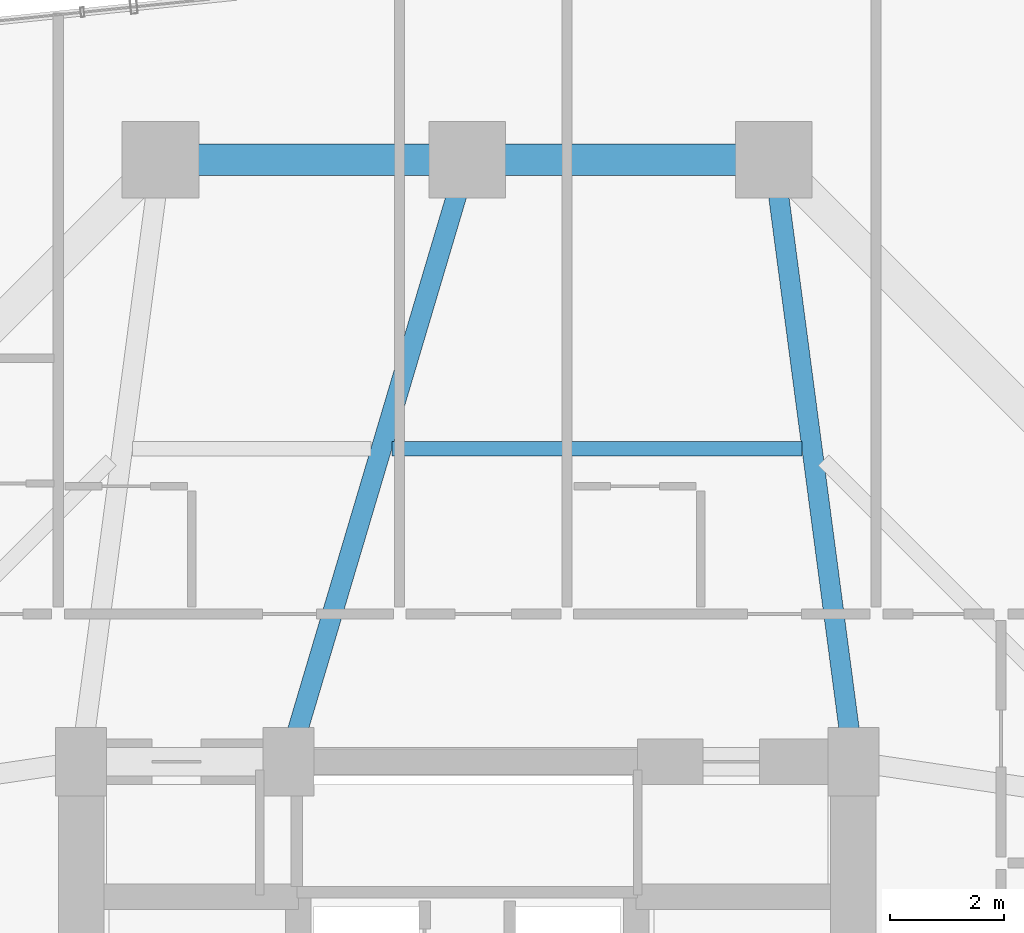
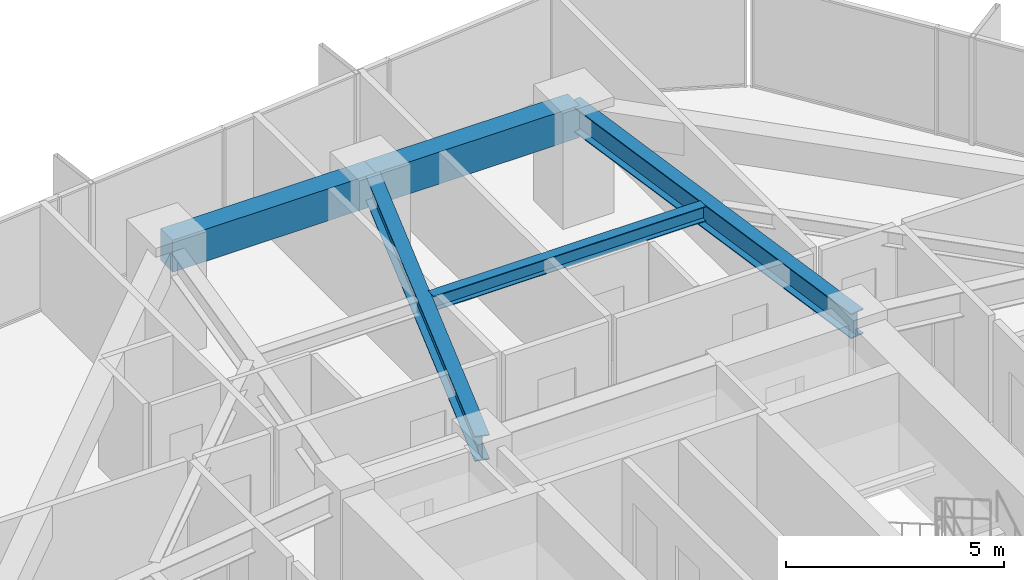
# One storey, part 24 of 37: 5 beams.
"""IFC4 building model written with IfcOpenShell, lengths in metres."""

import ifcopenshell
import ifcopenshell.guid

model = None  # the IFC model being written
_history = None  # IfcOwnerHistory: only IFC2X3 demands one
_inside = {}  # id of a spatial element -> (the spatial element, [elements in it])
_under = {}  # id of a project, library or spatial element -> (it, [spatial elements below it])
_declared = {}  # id of a project -> (the project, [libraries it declares])
_typed = {}  # id of a type object -> (the type object, [elements of that type])
_made_of = {}  # id of a material, layer set ... -> (it, [elements and type objects made of it])


def new_model(schema):
    """Start an empty IFC model of exactly this schema.

    Asked for "IFC4X3", IfcOpenShell would pick the latest addendum, in which some entities
    have other attributes; the version numbers below select the first issue.
    IFC2X3 requires an IfcOwnerHistory on every rooted entity: one is made here for all.
    """
    global model, _history
    if schema == "IFC4X3":
        model = ifcopenshell.file(schema_version=(4, 3, 0, 0))
    else:
        model = ifcopenshell.file(schema=schema)
    _inside.clear()
    _under.clear()
    _declared.clear()
    _typed.clear()
    _made_of.clear()
    _history = None
    if model.schema == "IFC2X3":
        org = make("IfcOrganization", Name="unknown")
        user = make(
            "IfcPersonAndOrganization",
            ThePerson=make("IfcPerson", FamilyName="unknown"),
            TheOrganization=org,
        )
        app = make(
            "IfcApplication",
            ApplicationDeveloper=org,
            Version="unknown",
            ApplicationFullName="unknown",
            ApplicationIdentifier="unknown",
        )
        _history = make(
            "IfcOwnerHistory",
            OwningUser=user,
            OwningApplication=app,
            ChangeAction="ADDED",
            CreationDate=0,
        )
    return model


def make(cls, **values):
    """One entity of the class cls with the attributes given. An attribute that is None is left unset."""
    return model.create_entity(
        cls, **{name: value for name, value in values.items() if value is not None}
    )


def rooted(cls, **values):
    """An entity with a GlobalId (a new one), such as an element, a storey or a relation."""
    return make(cls, GlobalId=ifcopenshell.guid.new(), OwnerHistory=_history, **values)


def si_unit(unit_type, name, prefix=None):
    """IfcSIUnit, for example si_unit("LENGTHUNIT", "METRE", prefix="MILLI")."""
    return make("IfcSIUnit", UnitType=unit_type, Prefix=prefix, Name=name)


def assignment(units):
    """IfcUnitAssignment: the units of a project."""
    return None if units is None else make("IfcUnitAssignment", Units=units)


def point(xyz):
    """IfcCartesianPoint."""
    return None if xyz is None else make("IfcCartesianPoint", Coordinates=xyz)


def direction(xyz):
    """IfcDirection."""
    return None if xyz is None else make("IfcDirection", DirectionRatios=xyz)


def frame(location, z_axis=None, x_axis=None):
    """IfcAxis2Placement3D, a coordinate frame: its origin and axes. An axis left out is left unset."""
    return make(
        "IfcAxis2Placement3D",
        Location=point(location),
        Axis=direction(z_axis),
        RefDirection=direction(x_axis),
    )


def frame_2d(location, x_axis=None):
    """IfcAxis2Placement2D, a coordinate frame in the plane: its origin and x axis."""
    return make(
        "IfcAxis2Placement2D", Location=point(location), RefDirection=direction(x_axis)
    )


def origin():
    """The frame at (0, 0, 0) with its axes left unset."""
    return frame((0.0, 0.0, 0.0))


def origin_2d():
    """The frame at (0, 0) in the plane with its x axis left unset."""
    return frame_2d((0.0, 0.0))


def place(relative_to, where):
    """IfcLocalPlacement: puts the frame where relative to a parent placement (None: the world)."""
    return make(
        "IfcLocalPlacement", PlacementRelTo=relative_to, RelativePlacement=where
    )


def context(
    kind, dimensions, precision=None, world=None, true_north=None, identifier=None
):
    """IfcGeometricRepresentationContext, for example the 3D "Model" context."""
    return make(
        "IfcGeometricRepresentationContext",
        ContextIdentifier=identifier,
        ContextType=kind,
        CoordinateSpaceDimension=dimensions,
        Precision=precision,
        WorldCoordinateSystem=world,
        TrueNorth=true_north,
    )


def subcontext(parent, identifier, kind, view, scale=None):
    """IfcGeometricRepresentationSubContext, for example "Body" below "Model"."""
    return make(
        "IfcGeometricRepresentationSubContext",
        ContextIdentifier=identifier,
        ContextType=kind,
        ParentContext=parent,
        TargetScale=scale,
        TargetView=view,
    )


def project(units=None, contexts=None):
    """IfcProject with its units and contexts."""
    return rooted(
        "IfcProject",
        Name="project",
        RepresentationContexts=contexts,
        UnitsInContext=assignment(units),
    )


def spatial(cls, under=None, at=None, **own):
    """A site, building, storey or space (cls), placed at a placement, below another one or the project."""
    s = rooted(cls, ObjectPlacement=at, **own)
    if under is not None:
        _under.setdefault(under.id(), (under, []))[1].append(s)
    return s


def profile(cls, at=None, kind="AREA", **sizes):
    """A parametric profile (cls). Its sizes go by their IFC names, for example OverallWidth=200.0."""
    return make(cls, ProfileType=kind, Position=at, **sizes)


def rectangle(**sizes):
    """IfcRectangleProfileDef."""
    return profile("IfcRectangleProfileDef", **sizes)


def i_section(**sizes):
    """IfcIShapeProfileDef."""
    return profile("IfcIShapeProfileDef", **sizes)


def extrude(swept, where, along, depth):
    """IfcExtrudedAreaSolid: the profile swept, set in the frame where, extruded along a direction by depth."""
    return make(
        "IfcExtrudedAreaSolid",
        SweptArea=swept,
        Position=where,
        ExtrudedDirection=direction(along),
        Depth=depth,
    )


def shape(context_of_items, identifier, shape_type, items):
    """IfcShapeRepresentation: the items that make up one representation, for example the "Body"."""
    return make(
        "IfcShapeRepresentation",
        ContextOfItems=context_of_items,
        RepresentationIdentifier=identifier,
        RepresentationType=shape_type,
        Items=items,
    )


def material(Name=None, Category=None):
    """IfcMaterial."""
    return make("IfcMaterial", Name=Name, Category=Category)


def material_profile(
    of_material, cross_section, Name=None, Category=None, Priority=None
):
    """IfcMaterialProfile: a cross section and its material."""
    return make(
        "IfcMaterialProfile",
        Name=Name,
        Material=of_material,
        Profile=cross_section,
        Priority=Priority,
        Category=Category,
    )


def profile_set(profiles, Name=None, composite=None):
    """IfcMaterialProfileSet."""
    return make(
        "IfcMaterialProfileSet",
        Name=Name,
        MaterialProfiles=profiles,
        CompositeProfile=composite,
    )


def made_of(thing, what):
    """Note that an element or type object is made of a material, layer set ...; save() writes the relation."""
    if what is not None:
        _made_of.setdefault(what.id(), (what, []))[1].append(thing)
    return thing


def type_object(cls, material=None, **own):
    """A type object (cls), such as IfcWallType, which elements share."""
    return made_of(rooted(cls, **own), material)


def element(
    cls,
    number,
    at=None,
    inside=None,
    cuts=None,
    type_object=None,
    material=None,
    context=None,
    identifier="Body",
    shape_type=None,
    held_by="IfcProductDefinitionShape",
    body=None,
    shapes=None,
    **own,
):
    """One element of the class cls, such as IfcWall. Its Tag is "e" and its number.

    at: its placement. inside: the storey or other place that contains it. cuts: it is an
    opening in that element (IfcRelVoidsElement). A single representation is given by context,
    identifier, shape_type and body (its items); several are given by shapes. held_by: the class
    of the entity that holds the representations. save() writes the other relations.
    """
    e = rooted(cls, Tag="e%d" % number, ObjectPlacement=at, **own)
    if body is not None:
        shapes = [shape(context, identifier, shape_type, body)]
    if shapes is not None:
        e.Representation = make(held_by, Representations=shapes)
    if inside is not None:
        _inside.setdefault(inside.id(), (inside, []))[1].append(e)
    if cuts is not None:
        rooted(
            "IfcRelVoidsElement", RelatingBuildingElement=cuts, RelatedOpeningElement=e
        )
    if type_object is not None:
        _typed.setdefault(type_object.id(), (type_object, []))[1].append(e)
    return made_of(e, material)


def aggregate(whole, parts):
    """IfcRelAggregates: a whole, such as a stair, and the parts it consists of."""
    return rooted("IfcRelAggregates", RelatingObject=whole, RelatedObjects=parts)


def save(model, path):
    """Write the relations noted so far, then the file.

    IfcRelAggregates (storeys below a building ...), IfcRelContainedInSpatialStructure (elements
    in a storey), IfcRelDefinesByType, IfcRelAssociatesMaterial and IfcRelDeclares: one each for
    every whole, place, type object, material and project.
    """
    for whole, parts in _under.values():
        aggregate(whole, parts)
    for where, things in _inside.values():
        rooted(
            "IfcRelContainedInSpatialStructure",
            RelatedElements=things,
            RelatingStructure=where,
        )
    for kind, things in _typed.values():
        rooted("IfcRelDefinesByType", RelatedObjects=things, RelatingType=kind)
    for what, things in _made_of.values():
        rooted("IfcRelAssociatesMaterial", RelatedObjects=things, RelatingMaterial=what)
    for by, libraries in _declared.values():
        rooted("IfcRelDeclares", RelatingContext=by, RelatedDefinitions=libraries)
    model.write(path)


model = new_model("IFC4")

# Units and contexts
model_context = context("Model", 3, precision=1e-05, world=origin(), true_north=direction((0.0, 1.0)))
body_context = subcontext(model_context, "Body", "Model", "MODEL_VIEW")
ifc_project = project(units=[si_unit("LENGTHUNIT", "METRE"), si_unit("AREAUNIT", "SQUARE_METRE"), si_unit("VOLUMEUNIT", "CUBIC_METRE"), si_unit("PLANEANGLEUNIT", "RADIAN"), si_unit("MASSUNIT", "GRAM", prefix="KILO")], contexts=[model_context])

# Site, building, storey
site_placement = place(None, origin())
site = spatial("IfcSite", under=ifc_project, at=site_placement, CompositionType="ELEMENT")
building_placement = place(site_placement, origin())
building = spatial("IfcBuilding", under=site, at=building_placement, Name="Veraguas Prism Commons", CompositionType="ELEMENT")
storey_placement = place(building_placement, frame((0.0, 0.0, 43.550048828125)))
storey = spatial("IfcBuildingStorey", under=building, at=storey_placement, Name="L11", CompositionType="ELEMENT", Elevation=43.550048828125)

# Beams
ifc_material_1 = material(Name="Steel ASTM A992 Grade 50", Category="steel")
ifc_material_profile_1 = material_profile(ifc_material_1, i_section(OverallWidth=0.260986328125, OverallDepth=0.419921875, WebThickness=0.01171875, FlangeThickness=0.019287109375, at=origin_2d()), Name="W410X114")
ifc_profile_set_1 = profile_set([ifc_material_profile_1], Name="Steel ASTM A992 Grade 50")
beam_type_1 = type_object("IfcBeamType", Name="Lower Floor Joist W410x114", PredefinedType="JOIST", material=ifc_profile_set_1)
beam_1_placement = place(storey_placement, frame((29.89453125, 36.511962890625, 2.7900390625), z_axis=(-1.0, 0.0, 0.0), x_axis=(0.0, -1.0, 0.0)))
element("IfcBeam", 1, at=beam_1_placement, inside=storey, type_object=beam_type_1, Name="Composite Floor Joist L11-JS04", PredefinedType="JOIST", context=body_context, shape_type="SweptSolid", body=[
    extrude(i_section(OverallWidth=0.260986328125, OverallDepth=0.419921875, WebThickness=0.01171875, FlangeThickness=0.019287109375, at=origin_2d()), origin(), (0.0, 0.0, 1.0), 7.222900390625),
])
ifc_material_2 = material(Name="Concrete C50/60", Category="concrete")
ifc_material_profile_2 = material_profile(ifc_material_2, rectangle(XDim=0.550048828125, YDim=0.89990234375, at=origin_2d()), Name="RC550X900")
ifc_profile_set_2 = profile_set([ifc_material_profile_2], Name="Concrete C50/60")
beam_type_2 = type_object("IfcBeamType", Name="Perimeter Spandrel Lower RC 550x900", PredefinedType="SPANDREL", material=ifc_profile_set_2)
for number, where, z_axis, x_axis, name in (
    (2, (29.39990234375, 41.60009765625, 2.550048828125), (-1.0, 0.0, 0.0), (0.0, -1.0, 0.0), "Perimeter Spandrel Beam L11-SP04"),
    (3, (24.0, 41.60009765625, 2.550048828125), (-1.0, 0.0, 0.0), (0.0, -1.0, 0.0), "Perimeter Spandrel Beam L11-SP05"),
):
    element("IfcBeam", number, at=place(storey_placement, frame(where, z_axis=z_axis, x_axis=x_axis)), inside=storey, type_object=beam_type_2, Name=name, PredefinedType="SPANDREL", context=body_context, shape_type="SweptSolid", body=[
        extrude(rectangle(XDim=0.550048828125, YDim=0.89990234375, at=origin_2d()), origin(), (0.0, 0.0, 1.0), 5.39990234375),
    ])
ifc_material_profile_3 = material_profile(ifc_material_1, i_section(OverallWidth=0.35595703125, OverallDepth=0.700927734375, WebThickness=0.016845703125, FlangeThickness=0.02734375, at=origin_2d()), Name="W690X240")
ifc_profile_set_3 = profile_set([ifc_material_profile_3], Name="Steel ASTM A992 Grade 50")
beam_type_3 = type_object("IfcBeamType", Name="Zone 1 Radial Girder W690x240", PredefinedType="BEAM", material=ifc_profile_set_3)
beam_2_placement = place(storey_placement, frame((29.39990234375, 41.60009765625, 2.6494140625), z_axis=(0.130950648891, -0.991388888154, 0.0), x_axis=(0.991388888154, 0.130950648891, 0.0)))
element("IfcBeam", 4, at=beam_2_placement, inside=storey, type_object=beam_type_3, Name="Radial Floor Girder L11-RD04", PredefinedType="BEAM", context=body_context, shape_type="SweptSolid", body=[
    extrude(i_section(OverallWidth=0.35595703125, OverallDepth=0.700927734375, WebThickness=0.016845703125, FlangeThickness=0.02734375, at=origin_2d()), origin(), (0.0, 0.0, 1.0), 10.692138671875),
])
beam_3_placement = place(storey_placement, frame((24.0, 41.60009765625, 2.6494140625), z_axis=(-0.28484745997, -0.958572858237, 0.0), x_axis=(0.958572858237, -0.28484745997, 0.0)))
element("IfcBeam", 5, at=beam_3_placement, inside=storey, type_object=beam_type_3, Name="Radial Floor Girder L11-RD05", PredefinedType="BEAM", context=body_context, shape_type="SweptSolid", body=[
    extrude(i_section(OverallWidth=0.35595703125, OverallDepth=0.700927734375, WebThickness=0.016845703125, FlangeThickness=0.02734375, at=origin_2d()), origin(), (0.0, 0.0, 1.0), 11.05810546875),
])

save(model, "model.ifc")
